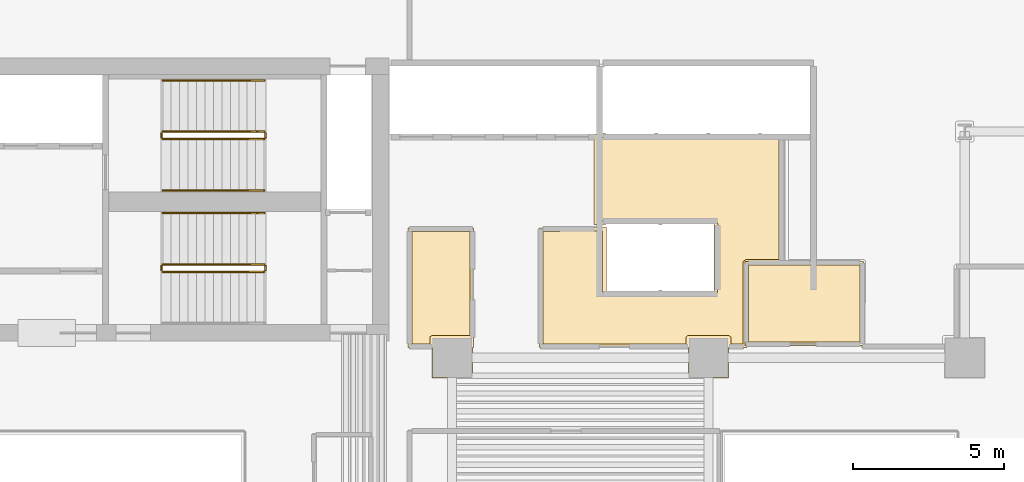
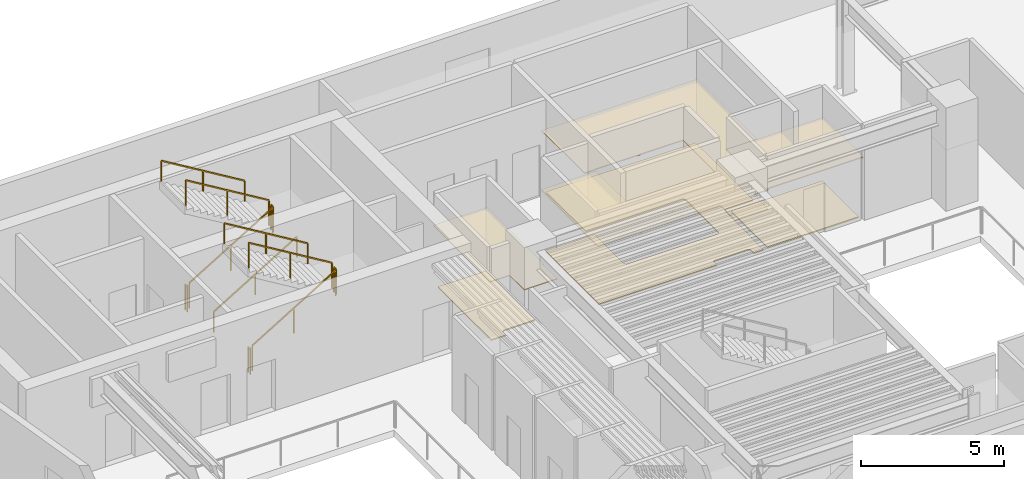
# One storey, part 10 of 11: 11 railings, 6 coverings.
"""IFC4 building model written with IfcOpenShell, lengths in metres."""

from ifc_helpers import new_model, si_unit, direction, frame, origin, origin_2d, place, context, subcontext, project, spatial, polyline, rectangle, outline, extrude, material, layer, layer_set, type_object, element, save


model = new_model("IFC4")

# Units and contexts
model_context = context("Model", 3, precision=1e-05, world=origin(), true_north=direction((0.0, 1.0)))
body_context = subcontext(model_context, "Body", "Model", "MODEL_VIEW")
ifc_project = project(units=[si_unit("LENGTHUNIT", "METRE"), si_unit("AREAUNIT", "SQUARE_METRE"), si_unit("VOLUMEUNIT", "CUBIC_METRE"), si_unit("PLANEANGLEUNIT", "RADIAN"), si_unit("MASSUNIT", "GRAM", prefix="KILO")], contexts=[model_context])

# Site, building, storey
site_placement = place(None, origin())
site = spatial("IfcSite", under=ifc_project, at=site_placement, CompositionType="ELEMENT")
building_placement = place(site_placement, origin())
building = spatial("IfcBuilding", under=site, at=building_placement, Name="Caeloran Harvest Quay", CompositionType="ELEMENT")
storey_placement = place(building_placement, frame((0.0, 0.0, 101.800048828125)))
storey = spatial("IfcBuildingStorey", under=building, at=storey_placement, Name="L23", CompositionType="ELEMENT", Elevation=101.800048828125)

# Coverings
ifc_material_1 = material(Name="Perforated Mineral-Fibre Acoustic Ceiling Tile", Category="ceiling")
ifc_layer_1 = layer(ifc_material_1, 0.0400390625, Name="Perforated Mineral-Fibre Acoustic Ceiling Tile")
ifc_layer_set_1 = layer_set([ifc_layer_1], Name="Perforated Mineral-Fibre Acoustic Ceiling Tile")
covering_type_1 = type_object("IfcCoveringType", Name="COV-CEILING-ACOUSTIC", PredefinedType="CEILING", material=ifc_layer_set_1)
covering_1_placement = place(storey_placement, frame((0.0, 0.0, 2.599853515625)))
element("IfcCovering", 1, at=covering_1_placement, inside=storey, type_object=covering_type_1, Name="L23 Core Auxiliary Equipment Room Acoustic Ceiling", PredefinedType="CEILING", context=body_context, shape_type="SweptSolid", body=[
    extrude(outline(polyline([(39.139892578125, 34.18994140625), (39.139892578125, 31.409912109375), (35.2099609375, 31.409912109375), (35.2099609375, 34.18994140625), (39.139892578125, 34.18994140625)])), origin(), (0.0, 0.0, 1.0), 0.0400390625),
])
covering_2_placement = place(storey_placement, frame((0.0, 0.0, 2.599853515625)))
element("IfcCovering", 2, at=covering_2_placement, inside=storey, type_object=covering_type_1, Name="Partner Boardroom Acoustic Ceiling", PredefinedType="CEILING", context=body_context, shape_type="SweptSolid", body=[
    extrude(outline(polyline([(26.169921875, 30.330078125), (24.830078125, 30.330078125), (24.830078125, 31.340087890625), (24.0400390625, 31.340087890625), (24.0400390625, 35.31005859375), (26.2099609375, 35.31005859375), (26.2099609375, 31.340087890625), (26.169921875, 31.340087890625), (26.169921875, 30.330078125)])), origin(), (0.0, 0.0, 1.0), 0.0400390625),
])
covering_3_placement = place(storey_placement, frame((0.0, 0.0, 2.599853515625)))
element("IfcCovering", 3, at=covering_3_placement, inside=storey, type_object=covering_type_1, Name="Executive Agronomy Design Studio 8 Acoustic Ceiling", PredefinedType="CEILING", context=body_context, shape_type="SweptSolid", body=[
    extrude(outline(polyline([(34.669921875, 30.330078125), (33.330078125, 30.330078125), (33.330078125, 31.340087890625), (28.389892578125, 31.340087890625), (28.389892578125, 35.31005859375), (30.212890625, 35.31005859375), (30.22021484375, 35.330078125), (30.610107421875, 35.330078125), (30.610107421875, 33.2099609375), (32.34130859375, 33.2099609375), (32.34423828125, 33.2294921875), (32.39990234375, 33.23779296875), (32.452880859375, 33.22998046875), (32.4580078125, 33.2099609375), (34.18994140625, 33.2099609375), (34.18994140625, 35.43994140625), (32.458740234375, 35.43994140625), (32.455810546875, 35.42041015625), (32.39990234375, 35.412109375), (32.346923828125, 35.420166015625), (32.342041015625, 35.43994140625), (30.607177734375, 35.43994140625), (30.599853515625, 35.419921875), (30.2099609375, 35.419921875), (30.2099609375, 38.212890625), (30.18994140625, 38.22021484375), (30.18994140625, 38.409912109375), (30.27294921875, 38.409912109375), (30.280029296875, 38.429931640625), (30.599853515625, 38.429931640625), (30.607177734375, 38.409912109375), (32.211181640625, 38.409912109375), (32.214111328125, 38.429443359375), (32.27001953125, 38.437744140625), (32.322998046875, 38.429931640625), (32.327880859375, 38.409912109375), (33.931396484375, 38.409912109375), (33.93408203125, 38.429443359375), (33.989990234375, 38.437744140625), (34.04296875, 38.429931640625), (34.0478515625, 38.409912109375), (35.6513671875, 38.409912109375), (35.654296875, 38.429443359375), (35.7099609375, 38.437744140625), (35.762939453125, 38.429931640625), (35.767822265625, 38.409912109375), (36.4599609375, 38.409912109375), (36.4599609375, 34.139892578125), (35.260009765625, 34.139892578125), (35.260009765625, 31.45703125), (35.280029296875, 31.449951171875), (35.280029296875, 31.340087890625), (34.669921875, 31.340087890625), (34.669921875, 30.330078125)])), origin(), (0.0, 0.0, 1.0), 0.0400390625),
])
ifc_material_2 = material(Name="Calcium-Sulphate Raised Access Floor and Terrazzo Finish", Category="flooring")
ifc_layer_2 = layer(ifc_material_2, 0.050048828125, Name="Calcium-Sulphate Raised Access Floor and Terrazzo Finish")
ifc_layer_set_2 = layer_set([ifc_layer_2], Name="Calcium-Sulphate Raised Access Floor and Terrazzo Finish")
covering_type_2 = type_object("IfcCoveringType", Name="COV-FLOOR-RAISED", PredefinedType="FLOORING", material=ifc_layer_set_2)
covering_4_placement = place(storey_placement, origin())
element("IfcCovering", 4, at=covering_4_placement, inside=storey, type_object=covering_type_2, Name="L23 Core Auxiliary Equipment Room Raised Finish Flooring", PredefinedType="FLOORING", context=body_context, shape_type="SweptSolid", body=[
    extrude(outline(polyline([(39.02001953125, 34.070068359375), (39.02001953125, 31.530029296875), (35.330078125, 31.530029296875), (35.330078125, 34.070068359375), (39.02001953125, 34.070068359375)])), origin(), (0.0, 0.0, 1.0), 0.050048828125),
])
covering_5_placement = place(storey_placement, origin())
element("IfcCovering", 5, at=covering_5_placement, inside=storey, type_object=covering_type_2, Name="Partner Boardroom Raised Finish Flooring", PredefinedType="FLOORING", context=body_context, shape_type="SweptSolid", body=[
    extrude(outline(polyline([(24.159912109375, 35.18994140625), (26.090087890625, 35.18994140625), (26.090087890625, 31.7451171875), (24.8271484375, 31.74462890625), (24.75830078125, 31.688232421875), (24.7548828125, 31.4599609375), (24.159912109375, 31.4599609375), (24.159912109375, 35.18994140625)])), origin(), (0.0, 0.0, 1.0), 0.050048828125),
])
covering_6_placement = place(storey_placement, origin())
element("IfcCovering", 6, at=covering_6_placement, inside=storey, type_object=covering_type_2, Name="Executive Agronomy Design Studio 8 Raised Finish Flooring", PredefinedType="FLOORING", context=body_context, shape_type="SweptSolid", body=[
    extrude(outline(polyline([(30.31005859375, 38.283203125), (30.343017578125, 38.31005859375), (36.340087890625, 38.2900390625), (36.340087890625, 34.260009765625), (35.2431640625, 34.259765625), (35.14990234375, 34.19580078125), (35.139892578125, 31.4599609375), (34.7451171875, 31.4599609375), (34.74169921875, 31.688232421875), (34.6650390625, 31.7451171875), (33.3193359375, 31.743408203125), (33.256591796875, 31.6806640625), (33.2548828125, 31.4599609375), (28.510009765625, 31.4599609375), (28.510009765625, 35.18994140625), (30.489990234375, 35.2099609375), (30.489990234375, 33.196044921875), (30.564208984375, 33.095947265625), (34.199951171875, 33.090087890625), (34.2666015625, 33.112548828125), (34.306396484375, 33.171875), (34.31005859375, 35.449951171875), (34.25537109375, 35.545166015625), (30.330078125, 35.5400390625), (30.31005859375, 38.283203125)])), origin(), (0.0, 0.0, 1.0), 0.050048828125),
])

# Railings
ifc_material_3 = material(Name="Painted Steel Baluster and Top-Rail Stair Guard", Category="steel")
ifc_layer_3 = layer(ifc_material_3, 0.050048828125, Name="Painted Steel Baluster and Top-Rail Stair Guard")
ifc_layer_set_3 = layer_set([ifc_layer_3], Name="Painted Steel Baluster and Top-Rail Stair Guard")
railing_type_1 = type_object("IfcRailingType", Name="STAIR-GUARD-1100", PredefinedType="GUARDRAIL", material=ifc_layer_set_3)
railing_1_placement = place(storey_placement, frame((15.89990234375, 38.25, 0.169189453125)))
element("IfcRailing", 7, at=railing_1_placement, inside=storey, type_object=railing_type_1, Name="L23 ST-C1 stair guard 1", PredefinedType="GUARDRAIL", context=body_context, shape_type="SweptSolid", body=[
    extrude(rectangle(XDim=0.048095703125, YDim=0.048095703125, at=origin_2d()), frame((0.0, 0.0, 1.076171875), z_axis=(0.855836976705, 0.0, 0.517245656632), x_axis=(0.0, 1.0, 0.0)), (0.0, 0.0, 1.0), 3.926025390625),
    extrude(rectangle(XDim=0.0419921875, YDim=0.0419921875, at=origin_2d()), origin(), (0.0, 0.0, 1.0), 1.052001953125),
    extrude(rectangle(XDim=0.0419921875, YDim=0.0419921875, at=origin_2d()), frame((1.68017578125, 0.0, 1.015380859375)), (0.0, 0.0, 1.0), 1.052001953125),
    extrude(rectangle(XDim=0.0419921875, YDim=0.0419921875, at=origin_2d()), frame((3.360107421875, 0.0, 2.03076171875)), (0.0, 0.0, 1.0), 1.052001953125),
])
railing_2_placement = place(storey_placement, frame((19.31005859375, 38.300048828125, 2.199951171875)))
element("IfcRailing", 8, at=railing_2_placement, inside=storey, type_object=railing_type_1, Name="L23 ST-C1 stair guard 2", PredefinedType="GUARDRAIL", context=body_context, shape_type="SweptSolid", body=[
    extrude(rectangle(XDim=0.048095703125, YDim=0.048095703125, at=origin_2d()), frame((0.0, 0.0, 1.076171875), z_axis=(0.0, 1.0, 0.0), x_axis=(-1.0, 0.0, 0.0)), (0.0, 0.0, 1.0), 0.14990234375),
    extrude(rectangle(XDim=0.0419921875, YDim=0.0419921875, at=origin_2d()), origin(), (0.0, 0.0, 1.0), 1.052001953125),
    extrude(rectangle(XDim=0.0419921875, YDim=0.0419921875, at=origin_2d()), frame((0.0, 0.14990234375, 0.0)), (0.0, 0.0, 1.0), 1.052001953125),
])
railing_3_placement = place(storey_placement, frame((19.260009765625, 38.5, 2.369140625)))
element("IfcRailing", 9, at=railing_3_placement, inside=storey, type_object=railing_type_1, Name="L23 ST-C1 stair guard 3", PredefinedType="GUARDRAIL", context=body_context, shape_type="SweptSolid", body=[
    extrude(rectangle(XDim=0.048095703125, YDim=0.048095703125, at=origin_2d()), frame((0.0, 0.0, 1.076171875), z_axis=(-0.855836976705, 0.0, 0.517245656632), x_axis=(0.0, -1.0, 0.0)), (0.0, 0.0, 1.0), 3.926025390625),
    extrude(rectangle(XDim=0.0419921875, YDim=0.0419921875, at=origin_2d()), origin(), (0.0, 0.0, 1.0), 1.052001953125),
    extrude(rectangle(XDim=0.0419921875, YDim=0.0419921875, at=origin_2d()), frame((-1.68017578125, 0.0, 1.015380859375)), (0.0, 0.0, 1.0), 1.052001953125),
    extrude(rectangle(XDim=0.0419921875, YDim=0.0419921875, at=origin_2d()), frame((-3.360107421875, 0.0, 2.03076171875)), (0.0, 0.0, 1.0), 1.052001953125),
])
railing_4_placement = place(storey_placement, frame((15.85009765625, 38.300048828125, 0.0)))
element("IfcRailing", 10, at=railing_4_placement, inside=storey, type_object=railing_type_1, Name="L23 ST-C1 stair guard 4", PredefinedType="GUARDRAIL", context=body_context, shape_type="SweptSolid", body=[
    extrude(rectangle(XDim=0.048095703125, YDim=0.048095703125, at=origin_2d()), frame((0.0, 0.0, 1.076171875), z_axis=(0.0, 1.0, 0.0), x_axis=(-1.0, 0.0, 0.0)), (0.0, 0.0, 1.0), 0.14990234375),
    extrude(rectangle(XDim=0.0419921875, YDim=0.0419921875, at=origin_2d()), origin(), (0.0, 0.0, 1.0), 1.052001953125),
    extrude(rectangle(XDim=0.0419921875, YDim=0.0419921875, at=origin_2d()), frame((0.0, 0.14990234375, 0.0)), (0.0, 0.0, 1.0), 1.052001953125),
])
railing_5_placement = place(storey_placement, frame((15.89990234375, 33.85009765625, 0.169189453125)))
element("IfcRailing", 11, at=railing_5_placement, inside=storey, type_object=railing_type_1, Name="L23 ST-C2 stair guard 1", PredefinedType="GUARDRAIL", context=body_context, shape_type="SweptSolid", body=[
    extrude(rectangle(XDim=0.048095703125, YDim=0.048095703125, at=origin_2d()), frame((0.0, 0.0, 1.076171875), z_axis=(0.855836976705, 0.0, 0.517245656632), x_axis=(0.0, 1.0, 0.0)), (0.0, 0.0, 1.0), 3.926025390625),
    extrude(rectangle(XDim=0.0419921875, YDim=0.0419921875, at=origin_2d()), origin(), (0.0, 0.0, 1.0), 1.052001953125),
    extrude(rectangle(XDim=0.0419921875, YDim=0.0419921875, at=origin_2d()), frame((1.68017578125, 0.0, 1.015380859375)), (0.0, 0.0, 1.0), 1.052001953125),
    extrude(rectangle(XDim=0.0419921875, YDim=0.0419921875, at=origin_2d()), frame((3.360107421875, 0.0, 2.03076171875)), (0.0, 0.0, 1.0), 1.052001953125),
])
railing_6_placement = place(storey_placement, frame((19.31005859375, 33.89990234375, 2.199951171875)))
element("IfcRailing", 12, at=railing_6_placement, inside=storey, type_object=railing_type_1, Name="L23 ST-C2 stair guard 2", PredefinedType="GUARDRAIL", context=body_context, shape_type="SweptSolid", body=[
    extrude(rectangle(XDim=0.048095703125, YDim=0.048095703125, at=origin_2d()), frame((0.0, 0.0, 1.076171875), z_axis=(0.0, 1.0, 0.0), x_axis=(-1.0, 0.0, 0.0)), (0.0, 0.0, 1.0), 0.150146484375),
    extrude(rectangle(XDim=0.0419921875, YDim=0.0419921875, at=origin_2d()), origin(), (0.0, 0.0, 1.0), 1.052001953125),
    extrude(rectangle(XDim=0.0419921875, YDim=0.0419921875, at=origin_2d()), frame((0.0, 0.150146484375, 0.0)), (0.0, 0.0, 1.0), 1.052001953125),
])
railing_7_placement = place(storey_placement, frame((19.260009765625, 34.10009765625, 2.369140625)))
element("IfcRailing", 13, at=railing_7_placement, inside=storey, type_object=railing_type_1, Name="L23 ST-C2 stair guard 3", PredefinedType="GUARDRAIL", context=body_context, shape_type="SweptSolid", body=[
    extrude(rectangle(XDim=0.048095703125, YDim=0.048095703125, at=origin_2d()), frame((0.0, 0.0, 1.076171875), z_axis=(-0.855836976705, 0.0, 0.517245656632), x_axis=(0.0, -1.0, 0.0)), (0.0, 0.0, 1.0), 3.926025390625),
    extrude(rectangle(XDim=0.0419921875, YDim=0.0419921875, at=origin_2d()), origin(), (0.0, 0.0, 1.0), 1.052001953125),
    extrude(rectangle(XDim=0.0419921875, YDim=0.0419921875, at=origin_2d()), frame((-1.68017578125, 0.0, 1.015380859375)), (0.0, 0.0, 1.0), 1.052001953125),
    extrude(rectangle(XDim=0.0419921875, YDim=0.0419921875, at=origin_2d()), frame((-3.360107421875, 0.0, 2.03076171875)), (0.0, 0.0, 1.0), 1.052001953125),
])
railing_8_placement = place(storey_placement, frame((15.85009765625, 33.89990234375, 0.0)))
element("IfcRailing", 14, at=railing_8_placement, inside=storey, type_object=railing_type_1, Name="L23 ST-C2 stair guard 4", PredefinedType="GUARDRAIL", context=body_context, shape_type="SweptSolid", body=[
    extrude(rectangle(XDim=0.048095703125, YDim=0.048095703125, at=origin_2d()), frame((0.0, 0.0, 1.076171875), z_axis=(0.0, 1.0, 0.0), x_axis=(-1.0, 0.0, 0.0)), (0.0, 0.0, 1.0), 0.150146484375),
    extrude(rectangle(XDim=0.0419921875, YDim=0.0419921875, at=origin_2d()), origin(), (0.0, 0.0, 1.0), 1.052001953125),
    extrude(rectangle(XDim=0.0419921875, YDim=0.0419921875, at=origin_2d()), frame((0.0, 0.150146484375, 0.0)), (0.0, 0.0, 1.0), 1.052001953125),
])
ifc_material_4 = material(Name="Brushed Stainless Steel Grade 304", Category="steel")
ifc_layer_4 = layer(ifc_material_4, 0.050048828125, Name="Brushed Stainless Steel Grade 304")
ifc_layer_set_4 = layer_set([ifc_layer_4], Name="Brushed Stainless Steel Grade 304")
railing_type_2 = type_object("IfcRailingType", Name="STAIR-HANDRAIL-900", PredefinedType="HANDRAIL", material=ifc_layer_set_4)
railing_9_placement = place(storey_placement, frame((15.89990234375, 36.550048828125, 0.169189453125)))
element("IfcRailing", 15, at=railing_9_placement, inside=storey, type_object=railing_type_2, Name="L23 ST-C1 stair handrail 1", PredefinedType="HANDRAIL", context=body_context, shape_type="SweptSolid", body=[
    extrude(rectangle(XDim=0.048095703125, YDim=0.048095703125, at=origin_2d()), frame((0.0, 0.0, 0.8759765625), z_axis=(0.855836976705, 0.0, 0.517245656632), x_axis=(0.0, 1.0, 0.0)), (0.0, 0.0, 1.0), 3.926025390625),
    extrude(rectangle(XDim=0.0419921875, YDim=0.0419921875, at=origin_2d()), origin(), (0.0, 0.0, 1.0), 0.851806640625),
    extrude(rectangle(XDim=0.0419921875, YDim=0.0419921875, at=origin_2d()), frame((1.68017578125, 0.0, 1.015380859375)), (0.0, 0.0, 1.0), 0.851806640625),
    extrude(rectangle(XDim=0.0419921875, YDim=0.0419921875, at=origin_2d()), frame((3.360107421875, 0.0, 2.03076171875)), (0.0, 0.0, 1.0), 0.851806640625),
])
for number, where, name in (
    (16, (19.260009765625, 40.199951171875, 2.369140625), "L23 ST-C1 stair handrail 2"),
    (17, (19.260009765625, 35.800048828125, 2.369140625), "L23 ST-C2 stair handrail 2"),
):
    element("IfcRailing", number, at=place(storey_placement, frame(where)), inside=storey, type_object=railing_type_2, Name=name, PredefinedType="HANDRAIL", context=body_context, shape_type="SweptSolid", body=[
        extrude(rectangle(XDim=0.048095703125, YDim=0.048095703125, at=origin_2d()), frame((0.0, 0.0, 0.8759765625), z_axis=(-0.855836976705, 0.0, 0.517245656632), x_axis=(0.0, -1.0, 0.0)), (0.0, 0.0, 1.0), 3.926025390625),
        extrude(rectangle(XDim=0.0419921875, YDim=0.0419921875, at=origin_2d()), origin(), (0.0, 0.0, 1.0), 0.851806640625),
        extrude(rectangle(XDim=0.0419921875, YDim=0.0419921875, at=origin_2d()), frame((-1.68017578125, 0.0, 1.015380859375)), (0.0, 0.0, 1.0), 0.851806640625),
        extrude(rectangle(XDim=0.0419921875, YDim=0.0419921875, at=origin_2d()), frame((-3.360107421875, 0.0, 2.03076171875)), (0.0, 0.0, 1.0), 0.851806640625),
    ])

save(model, "model.ifc")
